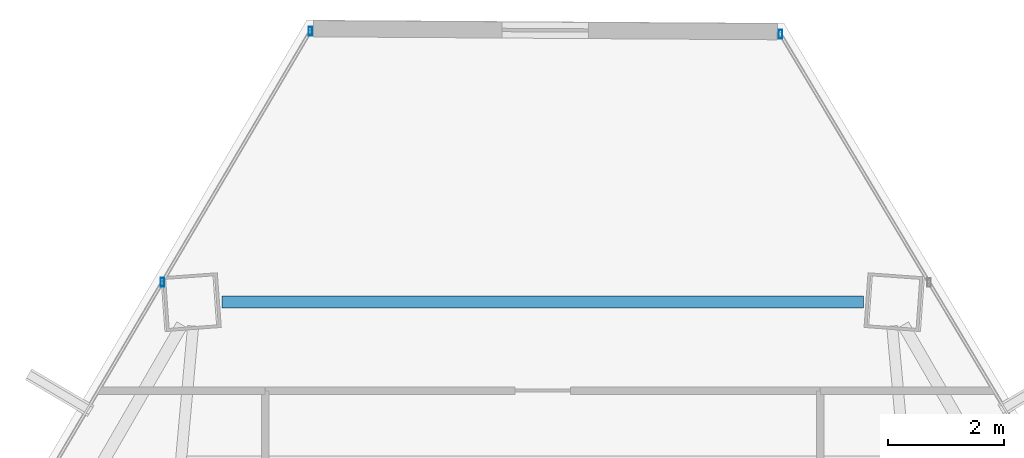
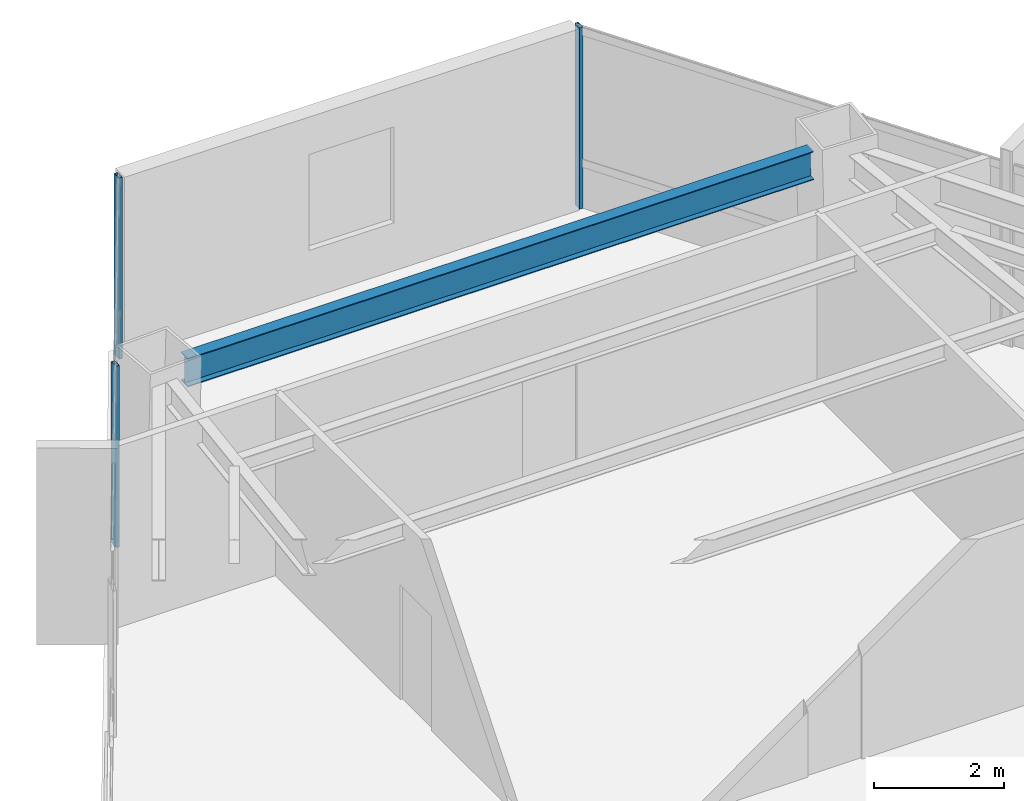
# One storey, part 30 of 41: 3 members, 1 beam, 2 elements without a shape of their own.
"""IFC4 building model written with IfcOpenShell, lengths in metres."""

from ifc_helpers import new_model, si_unit, direction, frame, origin, origin_2d, place, context, subcontext, project, spatial, hollow_rectangle, i_section, extrude, source, transform, mapped, material, material_profile, profile_set, type_object, type_shapes, element, aggregate, save


model = new_model("IFC4")

# Units and contexts
model_context = context("Model", 3, precision=1e-05, world=origin(), true_north=direction((0.0, 1.0)))
body_context = subcontext(model_context, "Body", "Model", "MODEL_VIEW")
ifc_project = project(units=[si_unit("LENGTHUNIT", "METRE"), si_unit("AREAUNIT", "SQUARE_METRE"), si_unit("VOLUMEUNIT", "CUBIC_METRE"), si_unit("PLANEANGLEUNIT", "RADIAN"), si_unit("MASSUNIT", "GRAM", prefix="KILO")], contexts=[model_context])

# Site, building, storey
site_placement = place(None, origin())
site = spatial("IfcSite", under=ifc_project, at=site_placement, CompositionType="ELEMENT")
building_placement = place(site_placement, origin())
building = spatial("IfcBuilding", under=site, at=building_placement, Name="Caelisora Broadcast Tower", CompositionType="ELEMENT")
storey_placement = place(building_placement, frame((0.0, 0.0, 162.14990234375)))
storey = spatial("IfcBuildingStorey", under=building, at=storey_placement, Name="L42", CompositionType="ELEMENT", Elevation=162.14990234375)

# Beam
ifc_material_1 = material(Name="Steel Grade 350 (AS/NZS 3679.1)", Category="steel")
ifc_material_profile_1 = material_profile(ifc_material_1, i_section(OverallWidth=0.208984375, OverallDepth=0.532958984375, WebThickness=0.01025390625, FlangeThickness=0.015625, at=origin_2d()), Name="Steel Grade 350 (AS/NZS 3679.1)")
ifc_profile_set_1 = profile_set([ifc_material_profile_1], Name="Steel Grade 350 (AS/NZS 3679.1)")
beam_type = type_object("IfcBeamType", Name="PG05", PredefinedType="BEAM", material=ifc_profile_set_1)
shared_shape_1 = source(origin(), body_context, "Body", "SweptSolid", [
    extrude(i_section(OverallWidth=0.208984375, OverallDepth=0.532958984375, WebThickness=0.01025390625, FlangeThickness=0.015625, at=origin_2d()), origin(), (0.0, 0.0, 1.0), 11.1005859375),
])
type_shapes(beam_type, [shared_shape_1])
beam_placement = place(storey_placement, frame((43.55029296875, 46.51513671875, 3.133544921875), z_axis=(-1.0, 0.0, 0.0), x_axis=(0.0, -1.0, 0.0)))
element("IfcBeam", 1, at=beam_placement, inside=storey, type_object=beam_type, Name="L42 beam PG05", PredefinedType="BEAM", context=body_context, shape_type="MappedRepresentation", body=[
    mapped(shared_shape_1, transform((0.0, 0.0, 0.0), scale=1.0)),
])

# Curtain wall, member
ifc_material_2 = material(Name="Unitised Aluminium and Low-E Glass Curtain Wall", Category="glass")
curtain_wall_type = type_object("IfcCurtainWallType", Name="CW-Z3", PredefinedType="NOTDEFINED", material=ifc_material_2)
curtain_wall_1_placement = place(storey_placement, origin())
curtain_wall_1 = element("IfcCurtainWall", 2, at=curtain_wall_1_placement, inside=storey, type_object=curtain_wall_type, Name="L42 curtain wall CW-Z3", PredefinedType="NOTDEFINED")
ifc_material_3 = material(Name="Aluminium 6063-T6 Anodised Terracotta Bronze", Category="aluminium")
ifc_material_profile_2 = material_profile(ifc_material_3, hollow_rectangle(XDim=0.06005859375, YDim=0.14990234375, WallThickness=0.00341796875, at=origin_2d()), Name="Aluminium 6063-T6 Anodised Terracotta Bronze")
ifc_profile_set_2 = profile_set([ifc_material_profile_2], Name="Aluminium 6063-T6 Anodised Terracotta Bronze")
member_type = type_object("IfcMemberType", Name="CWM-03", PredefinedType="MULLION", material=ifc_profile_set_2)
shared_shape_2 = source(origin(), body_context, "Body", "SweptSolid", [
    extrude(hollow_rectangle(XDim=0.06005859375, YDim=0.14990234375, WallThickness=0.00341796875, at=origin_2d()), origin(), (0.0, 0.0, 1.0), 3.400146484375),
])
type_shapes(member_type, [shared_shape_2])
member_1_placement = place(storey_placement, frame((42.11474609375, 51.14599609375, 0.0), z_axis=(0.0, 0.0, 1.0), x_axis=(1.0, 0.0, 0.0)))
member_1 = element("IfcMember", 3, at=member_1_placement, type_object=member_type, Name="L42-CW-B01 mullion #0", PredefinedType="MULLION", context=body_context, shape_type="MappedRepresentation", body=[
    mapped(shared_shape_2, transform((0.0, 0.0, 0.0), scale=1.0)),
])
aggregate(curtain_wall_1, [member_1])

# Curtain wall, members
curtain_wall_2_placement = place(storey_placement, origin())
curtain_wall_2 = element("IfcCurtainWall", 4, at=curtain_wall_2_placement, inside=storey, type_object=curtain_wall_type, Name="L42 curtain wall CW-Z3", PredefinedType="NOTDEFINED")
member_2_placement = place(storey_placement, frame((31.41845703125, 46.8544921875, 0.0), z_axis=(0.0, 0.0, 1.0), x_axis=(1.0, 0.0, 0.0)))
member_2 = element("IfcMember", 5, at=member_2_placement, type_object=member_type, Name="L42-CW-B11 mullion #2", PredefinedType="MULLION", context=body_context, shape_type="MappedRepresentation", body=[
    mapped(shared_shape_2, transform((0.0, 0.0, 0.0), scale=1.0)),
])
member_3_placement = place(storey_placement, frame((33.9794921875, 51.197998046875, 0.0), z_axis=(0.0, 0.0, 1.0), x_axis=(1.0, 0.0, 0.0)))
member_3 = element("IfcMember", 6, at=member_3_placement, type_object=member_type, Name="L42-CW-B11 mullion #3", PredefinedType="MULLION", context=body_context, shape_type="MappedRepresentation", body=[
    mapped(shared_shape_2, transform((0.0, 0.0, 0.0), scale=1.0)),
])
aggregate(curtain_wall_2, [member_2, member_3])

save(model, "model.ifc")
